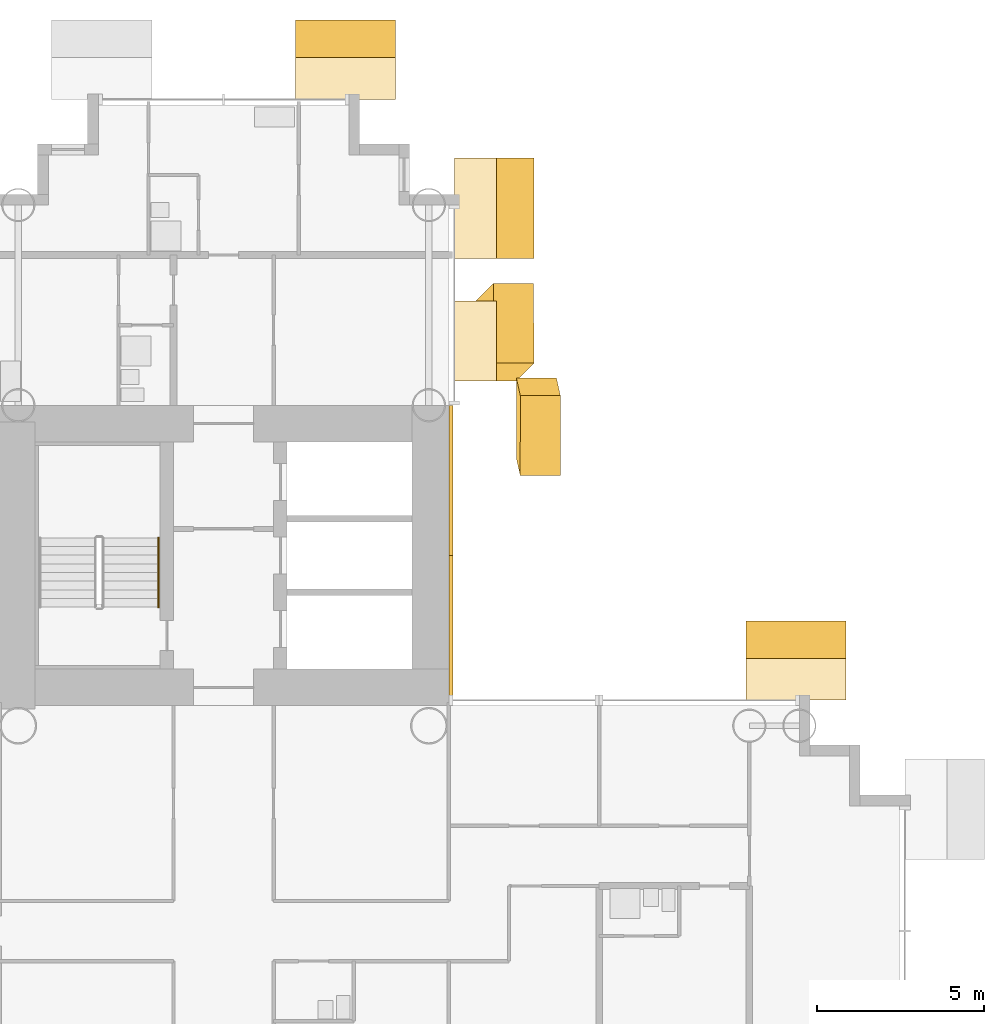
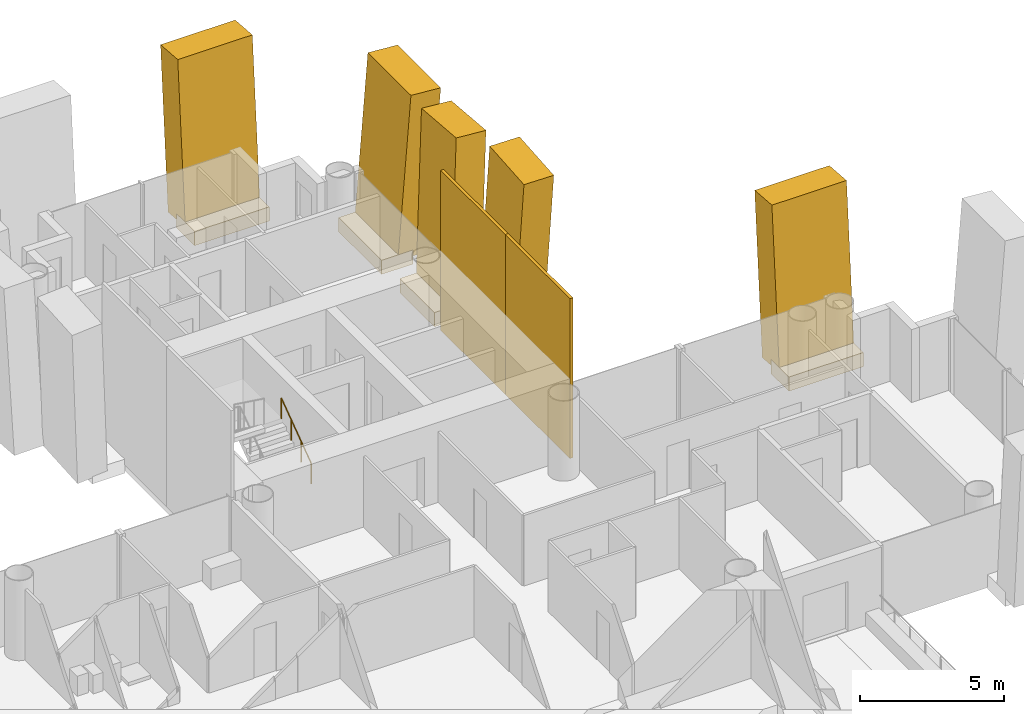
# One storey, part 24 of 25: 11 coverings, 1 railing.
"""IFC4 building model written with IfcOpenShell, lengths in metres."""

from ifc_helpers import new_model, si_unit, direction, frame, origin, origin_2d, place, context, subcontext, project, spatial, rectangle, circle, extrude, material, layer, layer_set, material_profile, profile_set, type_object, element, save


model = new_model("IFC4")

# Units and contexts
model_context = context("Model", 3, precision=1e-05, world=origin(), true_north=direction((0.0, 1.0)))
body_context = subcontext(model_context, "Body", "Model", "MODEL_VIEW")
ifc_project = project(units=[si_unit("LENGTHUNIT", "METRE"), si_unit("AREAUNIT", "SQUARE_METRE"), si_unit("VOLUMEUNIT", "CUBIC_METRE"), si_unit("PLANEANGLEUNIT", "RADIAN"), si_unit("MASSUNIT", "GRAM", prefix="KILO")], contexts=[model_context])

# Site, building, storey
site_placement = place(None, origin())
site = spatial("IfcSite", under=ifc_project, at=site_placement, CompositionType="ELEMENT")
building_placement = place(site_placement, origin())
building = spatial("IfcBuilding", under=site, at=building_placement, Name="Ipe Terrace Towers", CompositionType="ELEMENT")
storey_placement = place(building_placement, frame((0.0, 0.0, 58.5)))
storey = spatial("IfcBuildingStorey", under=building, at=storey_placement, Name="L15", CompositionType="ELEMENT", Elevation=58.5)

# Coverings
ifc_material_1 = material(Name="Concrete C50/60 precast, buff finish", Category="concrete")
ifc_layer = layer(ifc_material_1, 0.1201171875)
ifc_layer_set = layer_set([ifc_layer], Name="STONE CORE CLADDING 120")
covering_type_1 = type_object("IfcCoveringType", Name="STONE CORE CLADDING 120", PredefinedType="CLADDING", material=ifc_layer_set)
covering_1_placement = place(storey_placement, frame((42.81005859375, 9.0, 0.0), z_axis=(0.0, 0.0, 1.0), x_axis=(0.0, 1.0, 0.0)))
element("IfcCovering", 1, at=covering_1_placement, inside=storey, type_object=covering_type_1, Name="stone core cladding", PredefinedType="CLADDING", context=body_context, shape_type="SweptSolid", body=[
    extrude(rectangle(XDim=4.5, YDim=0.1201171875, at=origin_2d()), origin(), (0.0, 0.0, 1.0), 6.800048828125),
])
covering_2_placement = place(storey_placement, frame((42.81005859375, 13.5, 0.0), z_axis=(0.0, 0.0, 1.0), x_axis=(0.0, 1.0, 0.0)))
element("IfcCovering", 2, at=covering_2_placement, inside=storey, type_object=covering_type_1, Name="stone core cladding", PredefinedType="CLADDING", context=body_context, shape_type="SweptSolid", body=[
    extrude(rectangle(XDim=4.5009765625, YDim=0.1201171875, at=origin_2d()), origin(), (0.0, 0.0, 1.0), 6.800048828125),
])
ifc_material_2 = material(Name="Concrete C50/60 precast, buff finish", Category="concrete")
ifc_material_profile_1 = material_profile(ifc_material_2, rectangle(XDim=2.39990234375, YDim=1.199951171875, at=origin_2d()), Name="STONE FIN 2400 x 1200")
ifc_profile_set_1 = profile_set([ifc_material_profile_1], Name="Concrete C50/60 precast, buff finish")
covering_type_2 = type_object("IfcCoveringType", Name="STONE FIN 2400 x 1200", PredefinedType="USERDEFINED", material=ifc_profile_set_1)
covering_3_placement = place(storey_placement, frame((44.1689453125, 17.679931640625, 0.0), z_axis=(0.076627605461, 0.076913129841, 0.994088819241), x_axis=(-0.005911179067, 0.997037797908, -0.076685640794)))
element("IfcCovering", 3, at=covering_3_placement, inside=storey, type_object=covering_type_2, Name="stone fin", ObjectType="FIN", PredefinedType="USERDEFINED", context=body_context, shape_type="SweptSolid", body=[
    extrude(rectangle(XDim=2.39990234375, YDim=1.199951171875, at=origin_2d()), origin(), (0.0, 0.0, 1.0), 6.840576171875),
])
covering_4_placement = place(storey_placement, frame((45.368896484375, 15.3701171875, 0.0), z_axis=(0.017322565149, -0.077128363421, 0.996870675811), x_axis=(0.001340052882, 0.997021171067, 0.077116721289)))
element("IfcCovering", 4, at=covering_4_placement, inside=storey, type_object=covering_type_2, Name="stone fin", ObjectType="FIN", PredefinedType="USERDEFINED", context=body_context, shape_type="SweptSolid", body=[
    extrude(rectangle(XDim=2.39990234375, YDim=1.199951171875, at=origin_2d()), origin(), (0.0, 0.0, 1.0), 6.8212890625),
])
ifc_material_3 = material(Name="Concrete C50/60 precast, buff finish", Category="concrete")
ifc_material_profile_2 = material_profile(ifc_material_3, rectangle(XDim=3.0, YDim=1.199951171875, at=origin_2d()), Name="STONE FIN CORNER 3000 x 1200")
ifc_profile_set_2 = profile_set([ifc_material_profile_2], Name="Concrete C50/60 precast, buff finish")
covering_type_3 = type_object("IfcCoveringType", Name="STONE FIN CORNER 3000 x 1200", PredefinedType="USERDEFINED", material=ifc_profile_set_2)
for number, where, z_axis, x_axis, name in (
    (5, (39.64990234375, 26.1689453125, 0.0), (0.0, 0.076855266292, 0.997042259908), (-1.0, 0.0, 0.0), "stone fin"),
    (6, (44.1689453125, 21.64990234375, 0.0), (0.076855266292, 0.0, 0.997042259908), (0.0, 1.0, 0.0), "stone fin"),
    (7, (53.14990234375, 8.1689453125, 0.0), (0.0, 0.076855266292, 0.997042259908), (-1.0, 0.0, 0.0), "stone fin"),
):
    element("IfcCovering", number, at=place(storey_placement, frame(where, z_axis=z_axis, x_axis=x_axis)), inside=storey, type_object=covering_type_3, Name=name, ObjectType="FIN", PredefinedType="USERDEFINED", context=body_context, shape_type="SweptSolid", body=[
        extrude(rectangle(XDim=3.0, YDim=1.199951171875, at=origin_2d()), origin(), (0.0, 0.0, 1.0), 6.8203125),
    ])
ifc_material_4 = material(Name="Concrete C50/60 precast, buff finish", Category="concrete")
covering_type_4 = type_object("IfcCoveringType", Name="STONE FIN SHELF 2400 x 600", PredefinedType="CLADDING", material=ifc_material_4)
covering_5_placement = place(storey_placement, frame((43.5419921875, 17.679931640625, -0.35009765625), z_axis=(0.0, 0.0, 1.0), x_axis=(0.0, 1.0, 0.0)))
element("IfcCovering", 8, at=covering_5_placement, inside=storey, type_object=covering_type_4, Name="stone fin shelf", PredefinedType="CLADDING", context=body_context, shape_type="SweptSolid", body=[
    extrude(rectangle(XDim=2.39990234375, YDim=1.2529296875, at=origin_2d()), origin(), (0.0, 0.0, 1.0), 0.60009765625),
])
ifc_material_5 = material(Name="Concrete C50/60 precast, buff finish", Category="concrete")
covering_type_5 = type_object("IfcCoveringType", Name="STONE FIN SHELF 3000 x 600", PredefinedType="CLADDING", material=ifc_material_5)
for number, where, z_axis, x_axis, name in (
    (9, (39.64990234375, 25.54296875, -0.35009765625), (0.0, 0.0, 1.0), (-1.0, 0.0, 0.0), "stone fin shelf"),
    (10, (43.5419921875, 21.64990234375, -0.35009765625), (0.0, 0.0, 1.0), (0.0, 1.0, 0.0), "stone fin shelf"),
    (11, (53.14990234375, 7.54296875, -0.35009765625), (0.0, 0.0, 1.0), (-1.0, 0.0, 0.0), "stone fin shelf"),
):
    element("IfcCovering", number, at=place(storey_placement, frame(where, z_axis=z_axis, x_axis=x_axis)), inside=storey, type_object=covering_type_5, Name=name, PredefinedType="CLADDING", context=body_context, shape_type="SweptSolid", body=[
        extrude(rectangle(XDim=3.0, YDim=1.2529296875, at=origin_2d()), origin(), (0.0, 0.0, 1.0), 0.60009765625),
    ])

# Railing
ifc_material_6 = material(Name="Stainless steel grade 304", Category="steel")
railing_type = type_object("IfcRailingType", Name="Stair handrail 900", PredefinedType="HANDRAIL", material=ifc_material_6)
railing_placement = place(storey_placement, frame((34.050048828125, 9.699951171875, 0.18896484375)))
element("IfcRailing", 12, at=railing_placement, inside=storey, type_object=railing_type, Name="L15 T2-ST1 stair handrail 1", PredefinedType="HANDRAIL", context=body_context, shape_type="SweptSolid", body=[
    extrude(circle(Radius=0.02392578125, at=origin_2d()), frame((0.0, 0.0, 0.8759765625), z_axis=(0.0, 0.809068575486, 0.587714250432), x_axis=(-1.0, 0.0, 0.0)), (0.0, 0.0, 1.0), 2.571044921875),
    extrude(circle(Radius=0.02099609375, at=origin_2d()), origin(), (0.0, 0.0, 1.0), 0.851806640625),
    extrude(circle(Radius=0.02099609375, at=origin_2d()), frame((0.0, 0.693359375, 0.503662109375)), (0.0, 0.0, 1.0), 0.851806640625),
    extrude(circle(Radius=0.02099609375, at=origin_2d()), frame((0.0, 1.38671875, 1.00732421875)), (0.0, 0.0, 1.0), 0.851806640625),
    extrude(circle(Radius=0.02099609375, at=origin_2d()), frame((0.0, 2.080078125, 1.510986328125)), (0.0, 0.0, 1.0), 0.851806640625),
])

save(model, "model.ifc")
